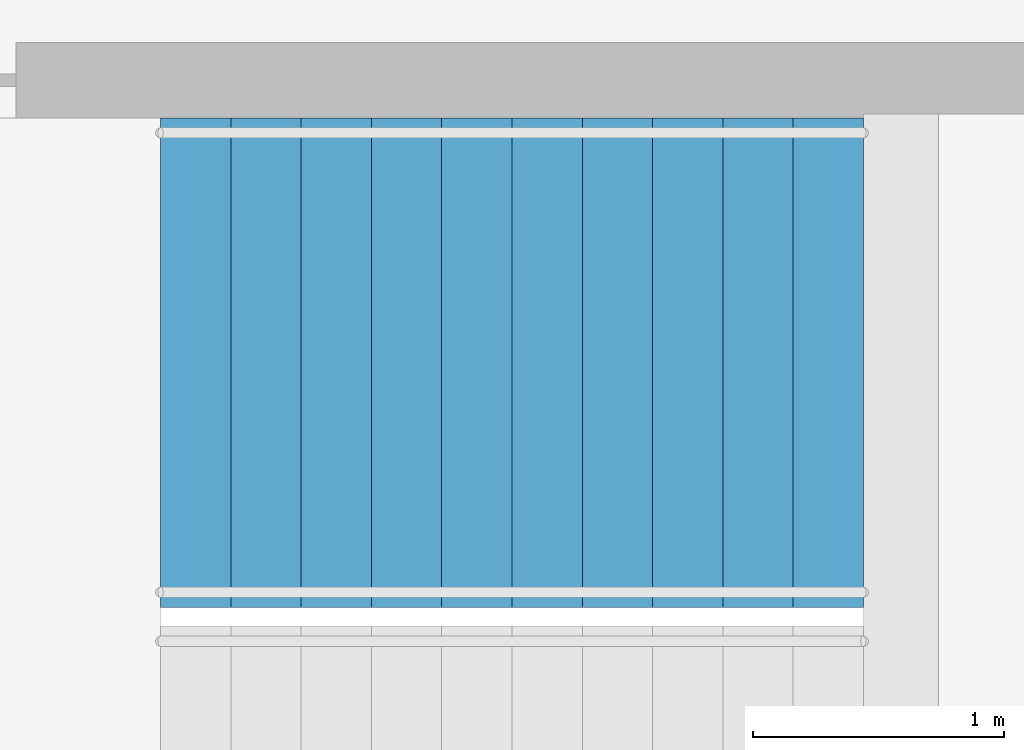
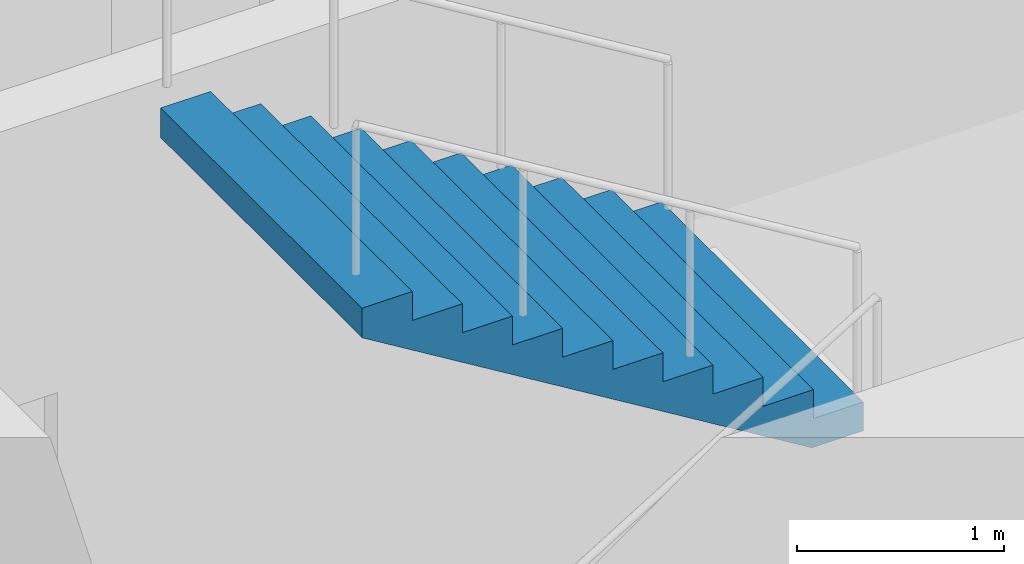
# One storey, part 19 of 22: 1 stair flight, 1 element without a shape of its own.
"""IFC4 building model written with IfcOpenShell, lengths in metres."""

from ifc_helpers import new_model, si_unit, direction, frame, origin, place, context, subcontext, project, spatial, triangles, material, type_object, element, aggregate, save


model = new_model("IFC4")

# Units and contexts
model_context = context("Model", 3, precision=1e-05, world=origin(), true_north=direction((0.0, 1.0)))
body_context = subcontext(model_context, "Body", "Model", "MODEL_VIEW")
ifc_project = project(units=[si_unit("LENGTHUNIT", "METRE"), si_unit("AREAUNIT", "SQUARE_METRE"), si_unit("VOLUMEUNIT", "CUBIC_METRE"), si_unit("PLANEANGLEUNIT", "RADIAN"), si_unit("MASSUNIT", "GRAM", prefix="KILO")], contexts=[model_context])

# Site, building, storey
site_placement = place(None, origin())
site = spatial("IfcSite", under=ifc_project, at=site_placement, CompositionType="ELEMENT")
building_placement = place(site_placement, origin())
building = spatial("IfcBuilding", under=site, at=building_placement, Name="Orbita Commons", CompositionType="ELEMENT")
storey_placement = place(building_placement, frame((0.0, 0.0, 80.64990234375)))
storey = spatial("IfcBuildingStorey", under=building, at=storey_placement, Name="L19", CompositionType="ELEMENT", Elevation=80.64990234375)

# Stair, stair flight
ifc_material_1 = material(Name="Precast concrete C40/50", Category="concrete")
stair_type = type_object("IfcStairType", Name="Exit stair S1 2 flights 11 risers 170", PredefinedType="HALF_TURN_STAIR", material=ifc_material_1)
stair_placement = place(storey_placement, origin())
stair = element("IfcStair", 1, at=stair_placement, inside=storey, type_object=stair_type, Name="Exit stair S1 L19", PredefinedType="HALF_TURN_STAIR")
ifc_material_2 = material(Name="Precast concrete C40/50", Category="concrete")
stair_flight_type = type_object("IfcStairFlightType", Name="Stair flight 11 risers 170 x 280", PredefinedType="STRAIGHT", material=ifc_material_2)
stair_flight_placement = place(storey_placement, frame((23.25, 29.27490234375, 1.875), z_axis=(0.0, 0.0, 1.0), x_axis=(-1.0, 0.0, 0.0)))
stair_flight = element("IfcStairFlight", 2, at=stair_flight_placement, type_object=stair_flight_type, Name="S1 flight 2", NumberOfRisers=11, NumberOfTreads=10, PredefinedType="STRAIGHT", RiserHeight=0.170454545, TreadLength=0.28, context=body_context, shape_type="Tessellation", body=[
    triangles([(0.0, 0.974976, 0.0), (0.0, 0.974976, 0.021307), (0.0, 0.81248, 0.021307), (0.0, 0.81248, 0.0), (0.0, 0.649984, 0.021307), (0.0, 0.649984, 0.0), (0.0, 0.487488, 0.021307), (0.0, 0.487488, 0.0), (0.0, 0.324992, 0.021307), (0.0, 0.324992, 0.0), (0.0, 0.162496, 0.021307), (0.0, 0.162496, 0.0), (0.0, 0.0, 0.021307), (0.0, 0.0, 0.0), (0.0, -0.162496, 0.021307), (0.0, -0.162496, 0.0), (0.0, -0.324992, 0.021307), (0.0, -0.324992, 0.0), (0.0, -0.487488, 0.021307), (0.0, -0.487488, 0.0), (0.0, -0.649984, 0.021307), (0.0, -0.649984, 0.0), (0.0, -0.81248, 0.021307), (0.0, -0.81248, 0.0), (0.0, -0.974976, 0.021307), (0.0, -0.974976, 0.0), (0.0, 0.974976, 0.042614), (0.0, 0.81248, 0.042614), (0.0, 0.649984, 0.042614), (0.0, 0.487488, 0.042614), (0.0, 0.324992, 0.042614), (0.0, 0.162496, 0.042614), (0.0, 0.0, 0.042614), (0.0, -0.162496, 0.042614), (0.0, -0.324992, 0.042614), (0.0, -0.487488, 0.042614), (0.0, -0.649984, 0.042614), (0.0, -0.81248, 0.042614), (0.0, -0.974976, 0.042614), (0.0, 0.974976, 0.06392), (0.0, 0.81248, 0.06392), (0.0, 0.649984, 0.06392), (0.0, 0.487488, 0.06392), (0.0, 0.324992, 0.06392), (0.0, 0.162496, 0.06392), (0.0, 0.0, 0.06392), (0.0, -0.162496, 0.06392), (0.0, -0.324992, 0.06392), (0.0, -0.487488, 0.06392), (0.0, -0.649984, 0.06392), (0.0, -0.81248, 0.06392), (0.0, -0.974976, 0.06392), (0.0, 0.974976, 0.085227), (0.0, 0.81248, 0.085227), (0.0, 0.649984, 0.085227), (0.0, 0.487488, 0.085227), (0.0, 0.324992, 0.085227), (0.0, 0.162496, 0.085227), (0.0, 0.0, 0.085227), (0.0, -0.162496, 0.085227), (0.0, -0.324992, 0.085227), (0.0, -0.487488, 0.085227), (0.0, -0.649984, 0.085227), (0.0, -0.81248, 0.085227), (0.0, -0.974976, 0.085227), (0.0, 0.974976, 0.106534), (0.0, 0.81248, 0.106534), (0.0, 0.649984, 0.106534), (0.0, 0.487488, 0.106534), (0.0, 0.324992, 0.106534), (0.0, 0.162496, 0.106534), (0.0, 0.0, 0.106534), (0.0, -0.162496, 0.106534), (0.0, -0.324992, 0.106534), (0.0, -0.487488, 0.106534), (0.0, -0.649984, 0.106534), (0.0, -0.81248, 0.106534), (0.0, -0.974976, 0.106534), (0.0, 0.974976, 0.127841), (0.0, 0.81248, 0.127841), (0.0, 0.649984, 0.127841), (0.0, 0.487488, 0.127841), (0.0, 0.324992, 0.127841), (0.0, 0.162496, 0.127841), (0.0, 0.0, 0.127841), (0.0, -0.162496, 0.127841), (0.0, -0.324992, 0.127841), (0.0, -0.487488, 0.127841), (0.0, -0.649984, 0.127841), (0.0, -0.81248, 0.127841), (0.0, -0.974976, 0.127841), (0.0, 0.974976, 0.149148), (0.0, 0.81248, 0.149148), (0.0, 0.649984, 0.149148), (0.0, 0.487488, 0.149148), (0.0, 0.324992, 0.149148), (0.0, 0.162496, 0.149148), (0.0, 0.0, 0.149148), (0.0, -0.162496, 0.149148), (0.0, -0.324992, 0.149148), (0.0, -0.487488, 0.149148), (0.0, -0.649984, 0.149148), (0.0, -0.81248, 0.149148), (0.0, -0.974976, 0.149148), (0.0, 0.974976, 0.170455), (0.0, 0.81248, 0.170455), (0.0, 0.649984, 0.170455), (0.0, 0.487488, 0.170455), (0.0, 0.324992, 0.170455), (0.0, 0.162496, 0.170455), (0.0, 0.0, 0.170455), (0.0, -0.162496, 0.170455), (0.0, -0.324992, 0.170455), (0.0, -0.487488, 0.170455), (0.0, -0.649984, 0.170455), (0.0, -0.81248, 0.170455), (0.0, -0.974976, 0.170455), (0.28, 0.974976, 0.170455), (0.28, 0.81248, 0.170455), (0.28, 0.649984, 0.170455), (0.28, 0.487488, 0.170455), (0.28, 0.324992, 0.170455), (0.28, 0.162496, 0.170455), (0.28, 0.0, 0.170455), (0.28, -0.162496, 0.170455), (0.28, -0.324992, 0.170455), (0.28, -0.487488, 0.170455), (0.28, -0.649984, 0.170455), (0.28, -0.81248, 0.170455), (0.28, -0.974976, 0.170455), (0.28, 0.974976, 0.340909), (0.28, 0.81248, 0.340909), (0.28, 0.649984, 0.340909), (0.28, 0.487488, 0.340909), (0.28, 0.324992, 0.340909), (0.28, 0.162496, 0.340909), (0.28, 0.0, 0.340909), (0.28, -0.162496, 0.340909), (0.28, -0.324992, 0.340909), (0.28, -0.487488, 0.340909), (0.28, -0.649984, 0.340909), (0.28, -0.81248, 0.340909), (0.28, -0.974976, 0.340909), (0.56, 0.974976, 0.340909), (0.56, 0.81248, 0.340909), (0.56, 0.649984, 0.340909), (0.56, 0.487488, 0.340909), (0.56, 0.324992, 0.340909), (0.56, 0.162496, 0.340909), (0.56, 0.0, 0.340909), (0.56, -0.162496, 0.340909), (0.56, -0.324992, 0.340909), (0.56, -0.487488, 0.340909), (0.56, -0.649984, 0.340909), (0.56, -0.81248, 0.340909), (0.56, -0.974976, 0.340909), (0.56, 0.974976, 0.511364), (0.56, 0.81248, 0.511364), (0.56, 0.649984, 0.511364), (0.56, 0.487488, 0.511364), (0.56, 0.324992, 0.511364), (0.56, 0.162496, 0.511364), (0.56, 0.0, 0.511364), (0.56, -0.162496, 0.511364), (0.56, -0.324992, 0.511364), (0.56, -0.487488, 0.511364), (0.56, -0.649984, 0.511364), (0.56, -0.81248, 0.511364), (0.56, -0.974976, 0.511364), (0.84, 0.974976, 0.511364), (0.84, 0.81248, 0.511364), (0.84, 0.649984, 0.511364), (0.84, 0.487488, 0.511364), (0.84, 0.324992, 0.511364), (0.84, 0.162496, 0.511364), (0.84, 0.0, 0.511364), (0.84, -0.162496, 0.511364), (0.84, -0.324992, 0.511364), (0.84, -0.487488, 0.511364), (0.84, -0.649984, 0.511364), (0.84, -0.81248, 0.511364), (0.84, -0.974976, 0.511364), (0.84, 0.974976, 0.681818), (0.84, 0.81248, 0.681818), (0.84, 0.649984, 0.681818), (0.84, 0.487488, 0.681818), (0.84, 0.324992, 0.681818), (0.84, 0.162496, 0.681818), (0.84, 0.0, 0.681818), (0.84, -0.162496, 0.681818), (0.84, -0.324992, 0.681818), (0.84, -0.487488, 0.681818), (0.84, -0.649984, 0.681818), (0.84, -0.81248, 0.681818), (0.84, -0.974976, 0.681818), (1.12, 0.974976, 0.681818), (1.12, 0.81248, 0.681818), (1.12, 0.649984, 0.681818), (1.12, 0.487488, 0.681818), (1.12, 0.324992, 0.681818), (1.12, 0.162496, 0.681818), (1.12, 0.0, 0.681818), (1.12, -0.162496, 0.681818), (1.12, -0.324992, 0.681818), (1.12, -0.487488, 0.681818), (1.12, -0.649984, 0.681818), (1.12, -0.81248, 0.681818), (1.12, -0.974976, 0.681818), (1.12, 0.974976, 0.852273), (1.12, 0.81248, 0.852273), (1.12, 0.649984, 0.852273), (1.12, 0.487488, 0.852273), (1.12, 0.324992, 0.852273), (1.12, 0.162496, 0.852273), (1.12, 0.0, 0.852273), (1.12, -0.162496, 0.852273), (1.12, -0.324992, 0.852273), (1.12, -0.487488, 0.852273), (1.12, -0.649984, 0.852273), (1.12, -0.81248, 0.852273), (1.12, -0.974976, 0.852273), (1.4, 0.974976, 0.852273), (1.4, 0.81248, 0.852273), (1.4, 0.649984, 0.852273), (1.4, 0.487488, 0.852273), (1.4, 0.324992, 0.852273), (1.4, 0.162496, 0.852273), (1.4, 0.0, 0.852273), (1.4, -0.162496, 0.852273), (1.4, -0.324992, 0.852273), (1.4, -0.487488, 0.852273), (1.4, -0.649984, 0.852273), (1.4, -0.81248, 0.852273), (1.4, -0.974976, 0.852273), (1.4, 0.974976, 1.022727), (1.4, 0.81248, 1.022727), (1.4, 0.649984, 1.022727), (1.4, 0.487488, 1.022727), (1.4, 0.324992, 1.022727), (1.4, 0.162496, 1.022727), (1.4, 0.0, 1.022727), (1.4, -0.162496, 1.022727), (1.4, -0.324992, 1.022727), (1.4, -0.487488, 1.022727), (1.4, -0.649984, 1.022727), (1.4, -0.81248, 1.022727), (1.4, -0.974976, 1.022727), (1.68, 0.974976, 1.022727), (1.68, 0.81248, 1.022727), (1.68, 0.649984, 1.022727), (1.68, 0.487488, 1.022727), (1.68, 0.324992, 1.022727), (1.68, 0.162496, 1.022727), (1.68, 0.0, 1.022727), (1.68, -0.162496, 1.022727), (1.68, -0.324992, 1.022727), (1.68, -0.487488, 1.022727), (1.68, -0.649984, 1.022727), (1.68, -0.81248, 1.022727), (1.68, -0.974976, 1.022727), (1.68, 0.974976, 1.193182), (1.68, 0.81248, 1.193182), (1.68, 0.649984, 1.193182), (1.68, 0.487488, 1.193182), (1.68, 0.324992, 1.193182), (1.68, 0.162496, 1.193182), (1.68, 0.0, 1.193182), (1.68, -0.162496, 1.193182), (1.68, -0.324992, 1.193182), (1.68, -0.487488, 1.193182), (1.68, -0.649984, 1.193182), (1.68, -0.81248, 1.193182), (1.68, -0.974976, 1.193182), (1.96, 0.974976, 1.193182), (1.96, 0.81248, 1.193182), (1.96, 0.649984, 1.193182), (1.96, 0.487488, 1.193182), (1.96, 0.324992, 1.193182), (1.96, 0.162496, 1.193182), (1.96, 0.0, 1.193182), (1.96, -0.162496, 1.193182), (1.96, -0.324992, 1.193182), (1.96, -0.487488, 1.193182), (1.96, -0.649984, 1.193182), (1.96, -0.81248, 1.193182), (1.96, -0.974976, 1.193182), (1.96, 0.974976, 1.363636), (1.96, 0.81248, 1.363636), (1.96, 0.649984, 1.363636), (1.96, 0.487488, 1.363636), (1.96, 0.324992, 1.363636), (1.96, 0.162496, 1.363636), (1.96, 0.0, 1.363636), (1.96, -0.162496, 1.363636), (1.96, -0.324992, 1.363636), (1.96, -0.487488, 1.363636), (1.96, -0.649984, 1.363636), (1.96, -0.81248, 1.363636), (1.96, -0.974976, 1.363636), (2.24, 0.974976, 1.363636), (2.24, 0.81248, 1.363636), (2.24, 0.649984, 1.363636), (2.24, 0.487488, 1.363636), (2.24, 0.324992, 1.363636), (2.24, 0.162496, 1.363636), (2.24, 0.0, 1.363636), (2.24, -0.162496, 1.363636), (2.24, -0.324992, 1.363636), (2.24, -0.487488, 1.363636), (2.24, -0.649984, 1.363636), (2.24, -0.81248, 1.363636), (2.24, -0.974976, 1.363636), (2.24, 0.974976, 1.534091), (2.24, 0.81248, 1.534091), (2.24, 0.649984, 1.534091), (2.24, 0.487488, 1.534091), (2.24, 0.324992, 1.534091), (2.24, 0.162496, 1.534091), (2.24, 0.0, 1.534091), (2.24, -0.162496, 1.534091), (2.24, -0.324992, 1.534091), (2.24, -0.487488, 1.534091), (2.24, -0.649984, 1.534091), (2.24, -0.81248, 1.534091), (2.24, -0.974976, 1.534091), (2.52, 0.974976, 1.534091), (2.52, 0.81248, 1.534091), (2.52, 0.649984, 1.534091), (2.52, 0.487488, 1.534091), (2.52, 0.324992, 1.534091), (2.52, 0.162496, 1.534091), (2.52, 0.0, 1.534091), (2.52, -0.162496, 1.534091), (2.52, -0.324992, 1.534091), (2.52, -0.487488, 1.534091), (2.52, -0.649984, 1.534091), (2.52, -0.81248, 1.534091), (2.52, -0.974976, 1.534091), (2.52, 0.974976, 1.704545), (2.52, 0.81248, 1.704545), (2.52, 0.649984, 1.704545), (2.52, 0.487488, 1.704545), (2.52, 0.324992, 1.704545), (2.52, 0.162496, 1.704545), (2.52, 0.0, 1.704545), (2.52, -0.162496, 1.704545), (2.52, -0.324992, 1.704545), (2.52, -0.487488, 1.704545), (2.52, -0.649984, 1.704545), (2.52, -0.81248, 1.704545), (2.52, -0.974976, 1.704545), (2.8, 0.974976, 1.704545), (2.8, 0.81248, 1.704545), (2.8, 0.649984, 1.704545), (2.8, 0.487488, 1.704545), (2.8, 0.324992, 1.704545), (2.8, 0.162496, 1.704545), (2.8, 0.0, 1.704545), (2.8, -0.162496, 1.704545), (2.8, -0.324992, 1.704545), (2.8, -0.487488, 1.704545), (2.8, -0.649984, 1.704545), (2.8, -0.81248, 1.704545), (2.8, -0.974976, 1.704545), (2.8, 0.974976, 1.682609), (2.8, 0.81248, 1.682609), (2.8, 0.649984, 1.682609), (2.8, 0.487488, 1.682609), (2.8, 0.324992, 1.682609), (2.8, 0.162496, 1.682609), (2.8, 0.0, 1.682609), (2.8, -0.162496, 1.682609), (2.8, -0.324992, 1.682609), (2.8, -0.487488, 1.682609), (2.8, -0.649984, 1.682609), (2.8, -0.81248, 1.682609), (2.8, -0.974976, 1.682609), (2.8, 0.974976, 1.660672), (2.8, 0.81248, 1.660672), (2.8, 0.649984, 1.660672), (2.8, 0.487488, 1.660672), (2.8, 0.324992, 1.660672), (2.8, 0.162496, 1.660672), (2.8, 0.0, 1.660672), (2.8, -0.162496, 1.660672), (2.8, -0.324992, 1.660672), (2.8, -0.487488, 1.660672), (2.8, -0.649984, 1.660672), (2.8, -0.81248, 1.660672), (2.8, -0.974976, 1.660672), (2.8, 0.974976, 1.638735), (2.8, 0.81248, 1.638735), (2.8, 0.649984, 1.638735), (2.8, 0.487488, 1.638735), (2.8, 0.324992, 1.638735), (2.8, 0.162496, 1.638735), (2.8, 0.0, 1.638735), (2.8, -0.162496, 1.638735), (2.8, -0.324992, 1.638735), (2.8, -0.487488, 1.638735), (2.8, -0.649984, 1.638735), (2.8, -0.81248, 1.638735), (2.8, -0.974976, 1.638735), (2.8, 0.974976, 1.616798), (2.8, 0.81248, 1.616798), (2.8, 0.649984, 1.616798), (2.8, 0.487488, 1.616798), (2.8, 0.324992, 1.616798), (2.8, 0.162496, 1.616798), (2.8, 0.0, 1.616798), (2.8, -0.162496, 1.616798), (2.8, -0.324992, 1.616798), (2.8, -0.487488, 1.616798), (2.8, -0.649984, 1.616798), (2.8, -0.81248, 1.616798), (2.8, -0.974976, 1.616798), (2.8, 0.974976, 1.594861), (2.8, 0.81248, 1.594861), (2.8, 0.649984, 1.594861), (2.8, 0.487488, 1.594861), (2.8, 0.324992, 1.594861), (2.8, 0.162496, 1.594861), (2.8, 0.0, 1.594861), (2.8, -0.162496, 1.594861), (2.8, -0.324992, 1.594861), (2.8, -0.487488, 1.594861), (2.8, -0.649984, 1.594861), (2.8, -0.81248, 1.594861), (2.8, -0.974976, 1.594861), (2.8, 0.974976, 1.572925), (2.8, 0.81248, 1.572925), (2.8, 0.649984, 1.572925), (2.8, 0.487488, 1.572925), (2.8, 0.324992, 1.572925), (2.8, 0.162496, 1.572925), (2.8, 0.0, 1.572925), (2.8, -0.162496, 1.572925), (2.8, -0.324992, 1.572925), (2.8, -0.487488, 1.572925), (2.8, -0.649984, 1.572925), (2.8, -0.81248, 1.572925), (2.8, -0.974976, 1.572925), (2.8, 0.974976, 1.550988), (2.8, 0.81248, 1.550988), (2.8, 0.649984, 1.550988), (2.8, 0.487488, 1.550988), (2.8, 0.324992, 1.550988), (2.8, 0.162496, 1.550988), (2.8, 0.0, 1.550988), (2.8, -0.162496, 1.550988), (2.8, -0.324992, 1.550988), (2.8, -0.487488, 1.550988), (2.8, -0.649984, 1.550988), (2.8, -0.81248, 1.550988), (2.8, -0.974976, 1.550988), (2.8, 0.974976, 1.529051), (2.8, 0.81248, 1.529051), (2.8, 0.649984, 1.529051), (2.8, 0.487488, 1.529051), (2.8, 0.324992, 1.529051), (2.8, 0.162496, 1.529051), (2.8, 0.0, 1.529051), (2.8, -0.162496, 1.529051), (2.8, -0.324992, 1.529051), (2.8, -0.487488, 1.529051), (2.8, -0.649984, 1.529051), (2.8, -0.81248, 1.529051), (2.8, -0.974976, 1.529051), (0.288279, 0.974976, 0.0), (0.288279, 0.81248, 0.0), (0.288279, 0.649984, 0.0), (0.288279, 0.487488, 0.0), (0.288279, 0.324992, 0.0), (0.288279, 0.162496, 0.0), (0.288279, 0.0, 0.0), (0.288279, -0.162496, 0.0), (0.288279, -0.324992, 0.0), (0.288279, -0.487488, 0.0), (0.288279, -0.649984, 0.0), (0.288279, -0.81248, 0.0), (0.288279, -0.974976, 0.0)], [[3, 2, 1], [4, 3, 1], [5, 3, 4], [6, 5, 4], [7, 5, 6], [8, 7, 6], [9, 7, 8], [10, 9, 8], [11, 9, 10], [12, 11, 10], [13, 11, 12], [14, 13, 12], [15, 13, 14], [16, 15, 14], [17, 15, 16], [18, 17, 16], [19, 17, 18], [20, 19, 18], [21, 19, 20], [22, 21, 20], [23, 21, 22], [24, 23, 22], [25, 23, 24], [26, 25, 24], [28, 27, 2], [3, 28, 2], [29, 28, 3], [5, 29, 3], [30, 29, 5], [7, 30, 5], [31, 30, 7], [9, 31, 7], [32, 31, 9], [11, 32, 9], [33, 32, 11], [13, 33, 11], [34, 33, 13], [15, 34, 13], [35, 34, 15], [17, 35, 15], [36, 35, 17], [19, 36, 17], [37, 36, 19], [21, 37, 19], [38, 37, 21], [23, 38, 21], [39, 38, 23], [25, 39, 23], [41, 40, 27], [28, 41, 27], [42, 41, 28], [29, 42, 28], [43, 42, 29], [30, 43, 29], [44, 43, 30], [31, 44, 30], [45, 44, 31], [32, 45, 31], [46, 45, 32], [33, 46, 32], [47, 46, 33], [34, 47, 33], [48, 47, 34], [35, 48, 34], [49, 48, 35], [36, 49, 35], [50, 49, 36], [37, 50, 36], [51, 50, 37], [38, 51, 37], [52, 51, 38], [39, 52, 38], [54, 53, 40], [41, 54, 40], [55, 54, 41], [42, 55, 41], [56, 55, 42], [43, 56, 42], [57, 56, 43], [44, 57, 43], [58, 57, 44], [45, 58, 44], [59, 58, 45], [46, 59, 45], [60, 59, 46], [47, 60, 46], [61, 60, 47], [48, 61, 47], [62, 61, 48], [49, 62, 48], [63, 62, 49], [50, 63, 49], [64, 63, 50], [51, 64, 50], [65, 64, 51], [52, 65, 51], [67, 66, 53], [54, 67, 53], [68, 67, 54], [55, 68, 54], [69, 68, 55], [56, 69, 55], [70, 69, 56], [57, 70, 56], [71, 70, 57], [58, 71, 57], [72, 71, 58], [59, 72, 58], [73, 72, 59], [60, 73, 59], [74, 73, 60], [61, 74, 60], [75, 74, 61], [62, 75, 61], [76, 75, 62], [63, 76, 62], [77, 76, 63], [64, 77, 63], [78, 77, 64], [65, 78, 64], [80, 79, 66], [67, 80, 66], [81, 80, 67], [68, 81, 67], [82, 81, 68], [69, 82, 68], [83, 82, 69], [70, 83, 69], [84, 83, 70], [71, 84, 70], [85, 84, 71], [72, 85, 71], [86, 85, 72], [73, 86, 72], [87, 86, 73], [74, 87, 73], [88, 87, 74], [75, 88, 74], [89, 88, 75], [76, 89, 75], [90, 89, 76], [77, 90, 76], [91, 90, 77], [78, 91, 77], [93, 92, 79], [80, 93, 79], [94, 93, 80], [81, 94, 80], [95, 94, 81], [82, 95, 81], [96, 95, 82], [83, 96, 82], [97, 96, 83], [84, 97, 83], [98, 97, 84], [85, 98, 84], [99, 98, 85], [86, 99, 85], [100, 99, 86], [87, 100, 86], [101, 100, 87], [88, 101, 87], [102, 101, 88], [89, 102, 88], [103, 102, 89], [90, 103, 89], [104, 103, 90], [91, 104, 90], [106, 105, 92], [93, 106, 92], [107, 106, 93], [94, 107, 93], [108, 107, 94], [95, 108, 94], [109, 108, 95], [96, 109, 95], [110, 109, 96], [97, 110, 96], [111, 110, 97], [98, 111, 97], [112, 111, 98], [99, 112, 98], [113, 112, 99], [100, 113, 99], [114, 113, 100], [101, 114, 100], [115, 114, 101], [102, 115, 101], [116, 115, 102], [103, 116, 102], [117, 116, 103], [104, 117, 103], [119, 118, 105], [106, 119, 105], [120, 119, 106], [107, 120, 106], [121, 120, 107], [108, 121, 107], [122, 121, 108], [109, 122, 108], [123, 122, 109], [110, 123, 109], [124, 123, 110], [111, 124, 110], [125, 124, 111], [112, 125, 111], [126, 125, 112], [113, 126, 112], [127, 126, 113], [114, 127, 113], [128, 127, 114], [115, 128, 114], [129, 128, 115], [116, 129, 115], [130, 129, 116], [117, 130, 116], [132, 131, 118], [119, 132, 118], [133, 132, 119], [120, 133, 119], [134, 133, 120], [121, 134, 120], [135, 134, 121], [122, 135, 121], [136, 135, 122], [123, 136, 122], [137, 136, 123], [124, 137, 123], [138, 137, 124], [125, 138, 124], [139, 138, 125], [126, 139, 125], [140, 139, 126], [127, 140, 126], [141, 140, 127], [128, 141, 127], [142, 141, 128], [129, 142, 128], [143, 142, 129], [130, 143, 129], [145, 144, 131], [132, 145, 131], [146, 145, 132], [133, 146, 132], [147, 146, 133], [134, 147, 133], [148, 147, 134], [135, 148, 134], [149, 148, 135], [136, 149, 135], [150, 149, 136], [137, 150, 136], [151, 150, 137], [138, 151, 137], [152, 151, 138], [139, 152, 138], [153, 152, 139], [140, 153, 139], [154, 153, 140], [141, 154, 140], [155, 154, 141], [142, 155, 141], [156, 155, 142], [143, 156, 142], [158, 157, 144], [145, 158, 144], [159, 158, 145], [146, 159, 145], [160, 159, 146], [147, 160, 146], [161, 160, 147], [148, 161, 147], [162, 161, 148], [149, 162, 148], [163, 162, 149], [150, 163, 149], [164, 163, 150], [151, 164, 150], [165, 164, 151], [152, 165, 151], [166, 165, 152], [153, 166, 152], [167, 166, 153], [154, 167, 153], [168, 167, 154], [155, 168, 154], [169, 168, 155], [156, 169, 155], [171, 170, 157], [158, 171, 157], [172, 171, 158], [159, 172, 158], [173, 172, 159], [160, 173, 159], [174, 173, 160], [161, 174, 160], [175, 174, 161], [162, 175, 161], [176, 175, 162], [163, 176, 162], [177, 176, 163], [164, 177, 163], [178, 177, 164], [165, 178, 164], [179, 178, 165], [166, 179, 165], [180, 179, 166], [167, 180, 166], [181, 180, 167], [168, 181, 167], [182, 181, 168], [169, 182, 168], [184, 183, 170], [171, 184, 170], [185, 184, 171], [172, 185, 171], [186, 185, 172], [173, 186, 172], [187, 186, 173], [174, 187, 173], [188, 187, 174], [175, 188, 174], [189, 188, 175], [176, 189, 175], [190, 189, 176], [177, 190, 176], [191, 190, 177], [178, 191, 177], [192, 191, 178], [179, 192, 178], [193, 192, 179], [180, 193, 179], [194, 193, 180], [181, 194, 180], [195, 194, 181], [182, 195, 181], [197, 196, 183], [184, 197, 183], [198, 197, 184], [185, 198, 184], [199, 198, 185], [186, 199, 185], [200, 199, 186], [187, 200, 186], [201, 200, 187], [188, 201, 187], [202, 201, 188], [189, 202, 188], [203, 202, 189], [190, 203, 189], [204, 203, 190], [191, 204, 190], [205, 204, 191], [192, 205, 191], [206, 205, 192], [193, 206, 192], [207, 206, 193], [194, 207, 193], [208, 207, 194], [195, 208, 194], [210, 209, 196], [197, 210, 196], [211, 210, 197], [198, 211, 197], [212, 211, 198], [199, 212, 198], [213, 212, 199], [200, 213, 199], [214, 213, 200], [201, 214, 200], [215, 214, 201], [202, 215, 201], [216, 215, 202], [203, 216, 202], [217, 216, 203], [204, 217, 203], [218, 217, 204], [205, 218, 204], [219, 218, 205], [206, 219, 205], [220, 219, 206], [207, 220, 206], [221, 220, 207], [208, 221, 207], [223, 222, 209], [210, 223, 209], [224, 223, 210], [211, 224, 210], [225, 224, 211], [212, 225, 211], [226, 225, 212], [213, 226, 212], [227, 226, 213], [214, 227, 213], [228, 227, 214], [215, 228, 214], [229, 228, 215], [216, 229, 215], [230, 229, 216], [217, 230, 216], [231, 230, 217], [218, 231, 217], [232, 231, 218], [219, 232, 218], [233, 232, 219], [220, 233, 219], [234, 233, 220], [221, 234, 220], [236, 235, 222], [223, 236, 222], [237, 236, 223], [224, 237, 223], [238, 237, 224], [225, 238, 224], [239, 238, 225], [226, 239, 225], [240, 239, 226], [227, 240, 226], [241, 240, 227], [228, 241, 227], [242, 241, 228], [229, 242, 228], [243, 242, 229], [230, 243, 229], [244, 243, 230], [231, 244, 230], [245, 244, 231], [232, 245, 231], [246, 245, 232], [233, 246, 232], [247, 246, 233], [234, 247, 233], [249, 248, 235], [236, 249, 235], [250, 249, 236], [237, 250, 236], [251, 250, 237], [238, 251, 237], [252, 251, 238], [239, 252, 238], [253, 252, 239], [240, 253, 239], [254, 253, 240], [241, 254, 240], [255, 254, 241], [242, 255, 241], [256, 255, 242], [243, 256, 242], [257, 256, 243], [244, 257, 243], [258, 257, 244], [245, 258, 244], [259, 258, 245], [246, 259, 245], [260, 259, 246], [247, 260, 246], [262, 261, 248], [249, 262, 248], [263, 262, 249], [250, 263, 249], [264, 263, 250], [251, 264, 250], [265, 264, 251], [252, 265, 251], [266, 265, 252], [253, 266, 252], [267, 266, 253], [254, 267, 253], [268, 267, 254], [255, 268, 254], [269, 268, 255], [256, 269, 255], [270, 269, 256], [257, 270, 256], [271, 270, 257], [258, 271, 257], [272, 271, 258], [259, 272, 258], [273, 272, 259], [260, 273, 259], [275, 274, 261], [262, 275, 261], [276, 275, 262], [263, 276, 262], [277, 276, 263], [264, 277, 263], [278, 277, 264], [265, 278, 264], [279, 278, 265], [266, 279, 265], [280, 279, 266], [267, 280, 266], [281, 280, 267], [268, 281, 267], [282, 281, 268], [269, 282, 268], [283, 282, 269], [270, 283, 269], [284, 283, 270], [271, 284, 270], [285, 284, 271], [272, 285, 271], [286, 285, 272], [273, 286, 272], [288, 287, 274], [275, 288, 274], [289, 288, 275], [276, 289, 275], [290, 289, 276], [277, 290, 276], [291, 290, 277], [278, 291, 277], [292, 291, 278], [279, 292, 278], [293, 292, 279], [280, 293, 279], [294, 293, 280], [281, 294, 280], [295, 294, 281], [282, 295, 281], [296, 295, 282], [283, 296, 282], [297, 296, 283], [284, 297, 283], [298, 297, 284], [285, 298, 284], [299, 298, 285], [286, 299, 285], [301, 300, 287], [288, 301, 287], [302, 301, 288], [289, 302, 288], [303, 302, 289], [290, 303, 289], [304, 303, 290], [291, 304, 290], [305, 304, 291], [292, 305, 291], [306, 305, 292], [293, 306, 292], [307, 306, 293], [294, 307, 293], [308, 307, 294], [295, 308, 294], [309, 308, 295], [296, 309, 295], [310, 309, 296], [297, 310, 296], [311, 310, 297], [298, 311, 297], [312, 311, 298], [299, 312, 298], [314, 313, 300], [301, 314, 300], [315, 314, 301], [302, 315, 301], [316, 315, 302], [303, 316, 302], [317, 316, 303], [304, 317, 303], [318, 317, 304], [305, 318, 304], [319, 318, 305], [306, 319, 305], [320, 319, 306], [307, 320, 306], [321, 320, 307], [308, 321, 307], [322, 321, 308], [309, 322, 308], [323, 322, 309], [310, 323, 309], [324, 323, 310], [311, 324, 310], [325, 324, 311], [312, 325, 311], [327, 326, 313], [314, 327, 313], [328, 327, 314], [315, 328, 314], [329, 328, 315], [316, 329, 315], [330, 329, 316], [317, 330, 316], [331, 330, 317], [318, 331, 317], [332, 331, 318], [319, 332, 318], [333, 332, 319], [320, 333, 319], [334, 333, 320], [321, 334, 320], [335, 334, 321], [322, 335, 321], [336, 335, 322], [323, 336, 322], [337, 336, 323], [324, 337, 323], [338, 337, 324], [325, 338, 324], [340, 339, 326], [327, 340, 326], [341, 340, 327], [328, 341, 327], [342, 341, 328], [329, 342, 328], [343, 342, 329], [330, 343, 329], [344, 343, 330], [331, 344, 330], [345, 344, 331], [332, 345, 331], [346, 345, 332], [333, 346, 332], [347, 346, 333], [334, 347, 333], [348, 347, 334], [335, 348, 334], [349, 348, 335], [336, 349, 335], [350, 349, 336], [337, 350, 336], [351, 350, 337], [338, 351, 337], [353, 352, 339], [340, 353, 339], [354, 353, 340], [341, 354, 340], [355, 354, 341], [342, 355, 341], [356, 355, 342], [343, 356, 342], [357, 356, 343], [344, 357, 343], [358, 357, 344], [345, 358, 344], [359, 358, 345], [346, 359, 345], [360, 359, 346], [347, 360, 346], [361, 360, 347], [348, 361, 347], [362, 361, 348], [349, 362, 348], [363, 362, 349], [350, 363, 349], [364, 363, 350], [351, 364, 350], [366, 365, 352], [353, 366, 352], [367, 366, 353], [354, 367, 353], [368, 367, 354], [355, 368, 354], [369, 368, 355], [356, 369, 355], [370, 369, 356], [357, 370, 356], [371, 370, 357], [358, 371, 357], [372, 371, 358], [359, 372, 358], [373, 372, 359], [360, 373, 359], [374, 373, 360], [361, 374, 360], [375, 374, 361], [362, 375, 361], [376, 375, 362], [363, 376, 362], [377, 376, 363], [364, 377, 363], [379, 378, 365], [366, 379, 365], [380, 379, 366], [367, 380, 366], [381, 380, 367], [368, 381, 367], [382, 381, 368], [369, 382, 368], [383, 382, 369], [370, 383, 369], [384, 383, 370], [371, 384, 370], [385, 384, 371], [372, 385, 371], [386, 385, 372], [373, 386, 372], [387, 386, 373], [374, 387, 373], [388, 387, 374], [375, 388, 374], [389, 388, 375], [376, 389, 375], [390, 389, 376], [377, 390, 376], [392, 391, 378], [379, 392, 378], [393, 392, 379], [380, 393, 379], [394, 393, 380], [381, 394, 380], [395, 394, 381], [382, 395, 381], [396, 395, 382], [383, 396, 382], [397, 396, 383], [384, 397, 383], [398, 397, 384], [385, 398, 384], [399, 398, 385], [386, 399, 385], [400, 399, 386], [387, 400, 386], [401, 400, 387], [388, 401, 387], [402, 401, 388], [389, 402, 388], [403, 402, 389], [390, 403, 389], [405, 404, 391], [392, 405, 391], [406, 405, 392], [393, 406, 392], [407, 406, 393], [394, 407, 393], [408, 407, 394], [395, 408, 394], [409, 408, 395], [396, 409, 395], [410, 409, 396], [397, 410, 396], [411, 410, 397], [398, 411, 397], [412, 411, 398], [399, 412, 398], [413, 412, 399], [400, 413, 399], [414, 413, 400], [401, 414, 400], [415, 414, 401], [402, 415, 401], [416, 415, 402], [403, 416, 402], [418, 417, 404], [405, 418, 404], [419, 418, 405], [406, 419, 405], [420, 419, 406], [407, 420, 406], [421, 420, 407], [408, 421, 407], [422, 421, 408], [409, 422, 408], [423, 422, 409], [410, 423, 409], [424, 423, 410], [411, 424, 410], [425, 424, 411], [412, 425, 411], [426, 425, 412], [413, 426, 412], [427, 426, 413], [414, 427, 413], [428, 427, 414], [415, 428, 414], [429, 428, 415], [416, 429, 415], [431, 430, 417], [418, 431, 417], [432, 431, 418], [419, 432, 418], [433, 432, 419], [420, 433, 419], [434, 433, 420], [421, 434, 420], [435, 434, 421], [422, 435, 421], [436, 435, 422], [423, 436, 422], [437, 436, 423], [424, 437, 423], [438, 437, 424], [425, 438, 424], [439, 438, 425], [426, 439, 425], [440, 439, 426], [427, 440, 426], [441, 440, 427], [428, 441, 427], [442, 441, 428], [429, 442, 428], [444, 443, 430], [431, 444, 430], [445, 444, 431], [432, 445, 431], [446, 445, 432], [433, 446, 432], [447, 446, 433], [434, 447, 433], [448, 447, 434], [435, 448, 434], [449, 448, 435], [436, 449, 435], [450, 449, 436], [437, 450, 436], [451, 450, 437], [438, 451, 437], [452, 451, 438], [439, 452, 438], [453, 452, 439], [440, 453, 439], [454, 453, 440], [441, 454, 440], [455, 454, 441], [442, 455, 441], [457, 456, 443], [444, 457, 443], [458, 457, 444], [445, 458, 444], [459, 458, 445], [446, 459, 445], [460, 459, 446], [447, 460, 446], [461, 460, 447], [448, 461, 447], [462, 461, 448], [449, 462, 448], [463, 462, 449], [450, 463, 449], [464, 463, 450], [451, 464, 450], [465, 464, 451], [452, 465, 451], [466, 465, 452], [453, 466, 452], [467, 466, 453], [454, 467, 453], [468, 467, 454], [455, 468, 454], [470, 469, 456], [457, 470, 456], [471, 470, 457], [458, 471, 457], [472, 471, 458], [459, 472, 458], [473, 472, 459], [460, 473, 459], [474, 473, 460], [461, 474, 460], [475, 474, 461], [462, 475, 461], [476, 475, 462], [463, 476, 462], [477, 476, 463], [464, 477, 463], [478, 477, 464], [465, 478, 464], [479, 478, 465], [466, 479, 465], [480, 479, 466], [467, 480, 466], [481, 480, 467], [468, 481, 467], [4, 1, 469], [470, 4, 469], [6, 4, 470], [471, 6, 470], [8, 6, 471], [472, 8, 471], [10, 8, 472], [473, 10, 472], [12, 10, 473], [474, 12, 473], [14, 12, 474], [475, 14, 474], [16, 14, 475], [476, 16, 475], [18, 16, 476], [477, 18, 476], [20, 18, 477], [478, 20, 477], [22, 20, 478], [479, 22, 478], [24, 22, 479], [480, 24, 479], [26, 24, 480], [481, 26, 480], [456, 469, 1], [26, 481, 468], [443, 456, 1], [26, 468, 455], [430, 443, 1], [26, 455, 442], [417, 430, 1], [26, 442, 429], [404, 417, 1], [26, 429, 416], [391, 404, 1], [26, 416, 403], [378, 391, 1], [26, 403, 390], [365, 378, 1], [26, 390, 377], [339, 352, 365], [377, 364, 351], [326, 339, 365], [377, 351, 338], [300, 313, 326], [338, 325, 312], [300, 326, 365], [377, 338, 312], [274, 287, 300], [312, 299, 286], [274, 300, 365], [377, 312, 286], [248, 261, 274], [286, 273, 260], [248, 274, 365], [377, 286, 260], [222, 235, 248], [260, 247, 234], [222, 248, 365], [377, 260, 234], [196, 209, 222], [234, 221, 208], [196, 222, 365], [377, 234, 208], [170, 183, 196], [208, 195, 182], [170, 196, 365], [377, 208, 182], [144, 157, 170], [182, 169, 156], [144, 170, 365], [377, 182, 156], [118, 131, 144], [156, 143, 130], [118, 144, 365], [377, 156, 130], [118, 365, 1], [26, 377, 130], [92, 105, 118], [130, 117, 104], [79, 92, 118], [130, 104, 91], [66, 79, 118], [130, 91, 78], [53, 66, 118], [130, 78, 65], [40, 53, 118], [130, 65, 52], [27, 40, 118], [130, 52, 39], [2, 27, 118], [130, 39, 25], [1, 2, 118], [130, 25, 26]], closed=True),
])
aggregate(stair, [stair_flight])

save(model, "model.ifc")
